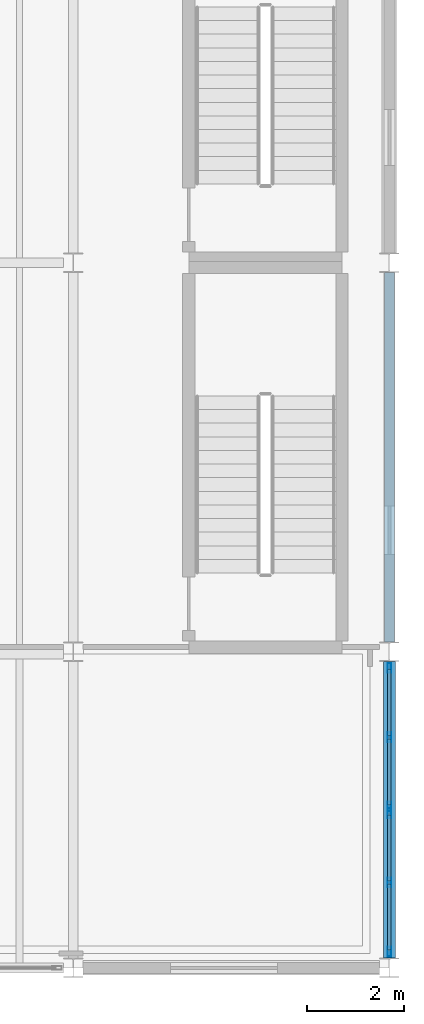
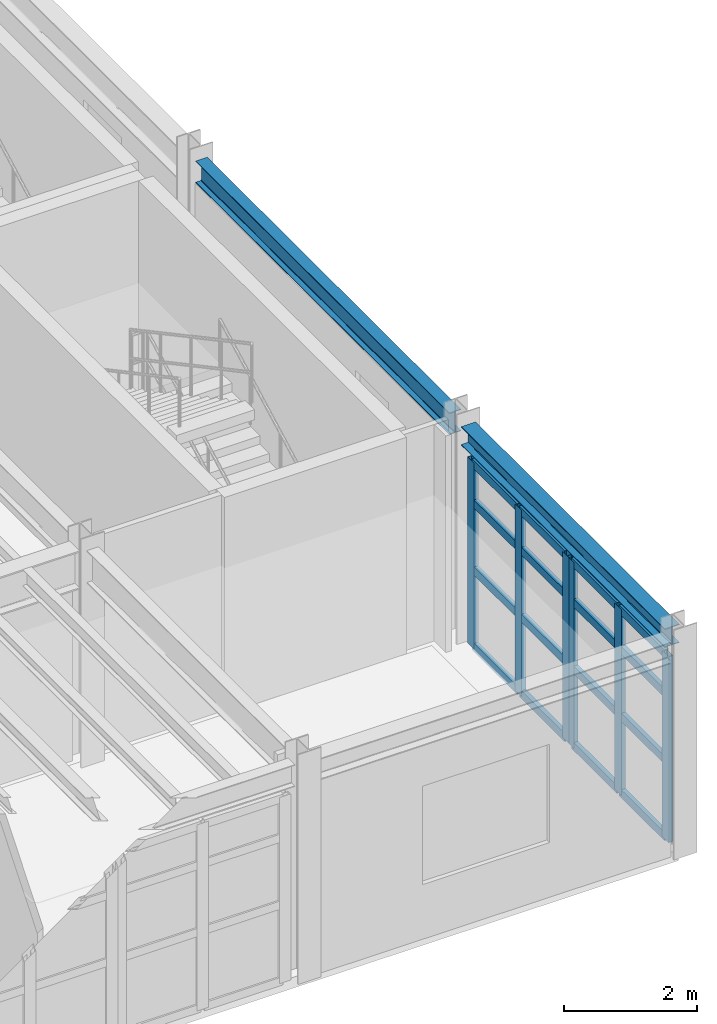
# One storey, part 39 of 78: 22 members, 2 beams, 2 elements without a shape of their own.
"""IFC4 building model written with IfcOpenShell, lengths in metres."""

from ifc_helpers import new_model, si_unit, direction, frame, origin, origin_2d, place, context, subcontext, project, spatial, hollow_rectangle, i_section, extrude, material, material_profile, profile_set, type_object, element, aggregate, save


model = new_model("IFC4")

# Units and contexts
model_context = context("Model", 3, precision=1e-05, world=origin(), true_north=direction((0.0, 1.0)))
body_context = subcontext(model_context, "Body", "Model", "MODEL_VIEW")
ifc_project = project(units=[si_unit("LENGTHUNIT", "METRE"), si_unit("AREAUNIT", "SQUARE_METRE"), si_unit("VOLUMEUNIT", "CUBIC_METRE"), si_unit("PLANEANGLEUNIT", "RADIAN"), si_unit("MASSUNIT", "GRAM", prefix="KILO"), si_unit("THERMODYNAMICTEMPERATUREUNIT", "KELVIN"), si_unit("POWERUNIT", "WATT")], contexts=[model_context])

# Site, building, storey
site_placement = place(None, origin())
site = spatial("IfcSite", under=ifc_project, at=site_placement, CompositionType="ELEMENT")
building_placement = place(site_placement, origin())
building = spatial("IfcBuilding", under=site, at=building_placement, Name="Zhenchuan Central Fire Station", CompositionType="ELEMENT")
storey_placement = place(building_placement, frame((0.0, 0.0, 5.85009765625)))
storey = spatial("IfcBuildingStorey", under=building, at=storey_placement, Name="L02", CompositionType="ELEMENT", Elevation=5.85009765625)

# Beam
ifc_material_1 = material(Name="Steel Q355B", Category="steel")
ifc_material_profile_1 = material_profile(ifc_material_1, i_section(OverallWidth=0.25, OverallDepth=0.340087890625, WebThickness=0.009033203125, FlangeThickness=0.013916015625, FilletRadius=0.01806640625, at=origin_2d()), Name="HM 340x250")
ifc_profile_set_1 = profile_set([ifc_material_profile_1], Name="Steel Q355B")
beam_type_1 = type_object("IfcBeamType", Name="BM-HM340-EXT", PredefinedType="BEAM", material=ifc_profile_set_1)
beam_1_placement = place(storey_placement, frame((161.0, 0.199951171875, 3.789794921875), z_axis=(0.0, 1.0, 0.0), x_axis=(-1.0, 0.0, 0.0)))
element("IfcBeam", 1, at=beam_1_placement, inside=storey, type_object=beam_type_1, Name="L03 Girder NS 0339", PredefinedType="BEAM", context=body_context, shape_type="SweptSolid", body=[
    extrude(i_section(OverallWidth=0.25, OverallDepth=0.340087890625, WebThickness=0.009033203125, FlangeThickness=0.013916015625, FilletRadius=0.01806640625, at=origin_2d()), origin(), (0.0, 0.0, 1.0), 6.10009765625),
])

# Curtain wall, members
ifc_material_2 = material(Name="Anodised aluminium and low-E glazing", Category="aluminium")
curtain_wall_type_1 = type_object("IfcCurtainWallType", Name="CW-MOD-02", PredefinedType="USERDEFINED", material=ifc_material_2)
curtain_wall_1_placement = place(storey_placement, origin())
curtain_wall_1 = element("IfcCurtainWall", 2, at=curtain_wall_1_placement, inside=storey, type_object=curtain_wall_type_1, Name="L02 Unitised Curtain Wall 088", ObjectType="UNITISED GLAZING", PredefinedType="USERDEFINED")
ifc_material_3 = material(Name="Anodised aluminium EN AW-6063", Category="aluminium")
ifc_material_profile_2 = material_profile(ifc_material_3, hollow_rectangle(XDim=0.074951171875, YDim=0.199951171875, WallThickness=0.0048828125, at=origin_2d()), Name="ALU-M 200x75")
ifc_profile_set_2 = profile_set([ifc_material_profile_2], Name="Anodised aluminium EN AW-6063")
member_type_1 = type_object("IfcMemberType", Name="CW-MUL160", PredefinedType="MULLION", material=ifc_profile_set_2)
member_1_placement = place(storey_placement, frame((161.0, 0.33251953125, -0.004150390625), z_axis=(0.0, 0.0, 1.0), x_axis=(-1.0, 0.0, 0.0)))
member_1 = element("IfcMember", 3, at=member_1_placement, type_object=member_type_1, Name="CW-02 mullion 1", PredefinedType="MULLION", context=body_context, shape_type="SweptSolid", body=[
    extrude(hollow_rectangle(XDim=0.074951171875, YDim=0.199951171875, WallThickness=0.0048828125, at=origin_2d()), origin(), (0.0, 0.0, 1.0), 3.404052734375),
])
member_2_placement = place(storey_placement, frame((161.0, 1.756103515625, -0.004150390625), z_axis=(0.0, 0.0, 1.0), x_axis=(-1.0, 0.0, 0.0)))
member_2 = element("IfcMember", 4, at=member_2_placement, type_object=member_type_1, Name="CW-02 mullion 2", PredefinedType="MULLION", context=body_context, shape_type="SweptSolid", body=[
    extrude(hollow_rectangle(XDim=0.074951171875, YDim=0.199951171875, WallThickness=0.0048828125, at=origin_2d()), origin(), (0.0, 0.0, 1.0), 3.404052734375),
])
member_3_placement = place(storey_placement, frame((161.0, 3.179443359375, -0.004150390625), z_axis=(0.0, 0.0, 1.0), x_axis=(-1.0, 0.0, 0.0)))
member_3 = element("IfcMember", 5, at=member_3_placement, type_object=member_type_1, Name="CW-02 mullion 3", PredefinedType="MULLION", context=body_context, shape_type="SweptSolid", body=[
    extrude(hollow_rectangle(XDim=0.074951171875, YDim=0.199951171875, WallThickness=0.0048828125, at=origin_2d()), origin(), (0.0, 0.0, 1.0), 3.404052734375),
])

curtain_wall_type_2 = type_object("IfcCurtainWallType", Name="CW-MOD-03", PredefinedType="USERDEFINED", material=ifc_material_2)
curtain_wall_2_placement = place(storey_placement, origin())
curtain_wall_2 = element("IfcCurtainWall", 6, at=curtain_wall_2_placement, inside=storey, type_object=curtain_wall_type_2, Name="L02 Unitised Curtain Wall 089", ObjectType="UNITISED GLAZING", PredefinedType="USERDEFINED")
member_4_placement = place(storey_placement, frame((161.0, 3.320556640625, -0.004150390625), z_axis=(0.0, 0.0, 1.0), x_axis=(-1.0, 0.0, 0.0)))
member_4 = element("IfcMember", 7, at=member_4_placement, type_object=member_type_1, Name="CW-03 mullion 1", PredefinedType="MULLION", context=body_context, shape_type="SweptSolid", body=[
    extrude(hollow_rectangle(XDim=0.074951171875, YDim=0.199951171875, WallThickness=0.0048828125, at=origin_2d()), origin(), (0.0, 0.0, 1.0), 3.404052734375),
])
member_5_placement = place(storey_placement, frame((161.0, 4.743896484375, -0.004150390625), z_axis=(0.0, 0.0, 1.0), x_axis=(-1.0, 0.0, 0.0)))
member_5 = element("IfcMember", 8, at=member_5_placement, type_object=member_type_1, Name="CW-03 mullion 2", PredefinedType="MULLION", context=body_context, shape_type="SweptSolid", body=[
    extrude(hollow_rectangle(XDim=0.074951171875, YDim=0.199951171875, WallThickness=0.0048828125, at=origin_2d()), origin(), (0.0, 0.0, 1.0), 3.404052734375),
])
member_6_placement = place(storey_placement, frame((161.0, 6.16748046875, -0.004150390625), z_axis=(0.0, 0.0, 1.0), x_axis=(-1.0, 0.0, 0.0)))
member_6 = element("IfcMember", 9, at=member_6_placement, type_object=member_type_1, Name="CW-03 mullion 3", PredefinedType="MULLION", context=body_context, shape_type="SweptSolid", body=[
    extrude(hollow_rectangle(XDim=0.074951171875, YDim=0.199951171875, WallThickness=0.0048828125, at=origin_2d()), origin(), (0.0, 0.0, 1.0), 3.404052734375),
])

# Member
ifc_material_profile_3 = material_profile(ifc_material_3, hollow_rectangle(XDim=0.074951171875, YDim=0.14990234375, WallThickness=0.0048828125, at=origin_2d()), Name="ALU-T 150x75")
ifc_profile_set_3 = profile_set([ifc_material_profile_3], Name="Anodised aluminium EN AW-6063")
member_type_2 = type_object("IfcMemberType", Name="CW-TRN130", PredefinedType="NOTDEFINED", material=ifc_profile_set_3)
member_7_placement = place(storey_placement, frame((161.0, 0.364990234375, 0.0283203125), z_axis=(0.0, 1.0, 0.0), x_axis=(-1.0, 0.0, 0.0)))
member_7 = element("IfcMember", 10, at=member_7_placement, type_object=member_type_2, Name="CW-02 transom 1.1", ObjectType="TRANSOM", PredefinedType="USERDEFINED", context=body_context, shape_type="SweptSolid", body=[
    extrude(hollow_rectangle(XDim=0.074951171875, YDim=0.14990234375, WallThickness=0.0048828125, at=origin_2d()), origin(), (0.0, 0.0, 1.0), 1.3583984375),
])

member_8_placement = place(storey_placement, frame((161.0, 0.364990234375, 1.427978515625), z_axis=(0.0, 1.0, 0.0), x_axis=(-1.0, 0.0, 0.0)))
member_8 = element("IfcMember", 11, at=member_8_placement, type_object=member_type_2, Name="CW-02 transom 1.2", ObjectType="TRANSOM", PredefinedType="USERDEFINED", context=body_context, shape_type="SweptSolid", body=[
    extrude(hollow_rectangle(XDim=0.074951171875, YDim=0.14990234375, WallThickness=0.0048828125, at=origin_2d()), origin(), (0.0, 0.0, 1.0), 1.3583984375),
])

member_9_placement = place(storey_placement, frame((161.0, 0.364990234375, 2.65185546875), z_axis=(0.0, 1.0, 0.0), x_axis=(-1.0, 0.0, 0.0)))
member_9 = element("IfcMember", 12, at=member_9_placement, type_object=member_type_2, Name="CW-02 transom 1.3", ObjectType="TRANSOM", PredefinedType="USERDEFINED", context=body_context, shape_type="SweptSolid", body=[
    extrude(hollow_rectangle(XDim=0.074951171875, YDim=0.14990234375, WallThickness=0.0048828125, at=origin_2d()), origin(), (0.0, 0.0, 1.0), 1.3583984375),
])

member_10_placement = place(storey_placement, frame((161.0, 0.364990234375, 3.367431640625), z_axis=(0.0, 1.0, 0.0), x_axis=(-1.0, 0.0, 0.0)))
member_10 = element("IfcMember", 13, at=member_10_placement, type_object=member_type_2, Name="CW-02 transom 1.4", ObjectType="TRANSOM", PredefinedType="USERDEFINED", context=body_context, shape_type="SweptSolid", body=[
    extrude(hollow_rectangle(XDim=0.074951171875, YDim=0.14990234375, WallThickness=0.0048828125, at=origin_2d()), origin(), (0.0, 0.0, 1.0), 1.3583984375),
])

member_11_placement = place(storey_placement, frame((161.0, 1.78857421875, 0.0283203125), z_axis=(0.0, 1.0, 0.0), x_axis=(-1.0, 0.0, 0.0)))
member_11 = element("IfcMember", 14, at=member_11_placement, type_object=member_type_2, Name="CW-02 transom 2.1", ObjectType="TRANSOM", PredefinedType="USERDEFINED", context=body_context, shape_type="SweptSolid", body=[
    extrude(hollow_rectangle(XDim=0.074951171875, YDim=0.14990234375, WallThickness=0.0048828125, at=origin_2d()), origin(), (0.0, 0.0, 1.0), 1.3583984375),
])

member_12_placement = place(storey_placement, frame((161.0, 1.78857421875, 1.427978515625), z_axis=(0.0, 1.0, 0.0), x_axis=(-1.0, 0.0, 0.0)))
member_12 = element("IfcMember", 15, at=member_12_placement, type_object=member_type_2, Name="CW-02 transom 2.2", ObjectType="TRANSOM", PredefinedType="USERDEFINED", context=body_context, shape_type="SweptSolid", body=[
    extrude(hollow_rectangle(XDim=0.074951171875, YDim=0.14990234375, WallThickness=0.0048828125, at=origin_2d()), origin(), (0.0, 0.0, 1.0), 1.3583984375),
])

member_13_placement = place(storey_placement, frame((161.0, 1.78857421875, 2.65185546875), z_axis=(0.0, 1.0, 0.0), x_axis=(-1.0, 0.0, 0.0)))
member_13 = element("IfcMember", 16, at=member_13_placement, type_object=member_type_2, Name="CW-02 transom 2.3", ObjectType="TRANSOM", PredefinedType="USERDEFINED", context=body_context, shape_type="SweptSolid", body=[
    extrude(hollow_rectangle(XDim=0.074951171875, YDim=0.14990234375, WallThickness=0.0048828125, at=origin_2d()), origin(), (0.0, 0.0, 1.0), 1.3583984375),
])

member_14_placement = place(storey_placement, frame((161.0, 1.78857421875, 3.367431640625), z_axis=(0.0, 1.0, 0.0), x_axis=(-1.0, 0.0, 0.0)))
member_14 = element("IfcMember", 17, at=member_14_placement, type_object=member_type_2, Name="CW-02 transom 2.4", ObjectType="TRANSOM", PredefinedType="USERDEFINED", context=body_context, shape_type="SweptSolid", body=[
    extrude(hollow_rectangle(XDim=0.074951171875, YDim=0.14990234375, WallThickness=0.0048828125, at=origin_2d()), origin(), (0.0, 0.0, 1.0), 1.3583984375),
])

aggregate(curtain_wall_1, [member_1, member_2, member_3, member_7, member_8, member_9, member_10, member_11, member_12, member_13, member_14])

member_15_placement = place(storey_placement, frame((161.0, 3.35302734375, 0.0283203125), z_axis=(0.0, 1.0, 0.0), x_axis=(-1.0, 0.0, 0.0)))
member_15 = element("IfcMember", 18, at=member_15_placement, type_object=member_type_2, Name="CW-03 transom 1.1", ObjectType="TRANSOM", PredefinedType="USERDEFINED", context=body_context, shape_type="SweptSolid", body=[
    extrude(hollow_rectangle(XDim=0.074951171875, YDim=0.14990234375, WallThickness=0.0048828125, at=origin_2d()), origin(), (0.0, 0.0, 1.0), 1.3583984375),
])

member_16_placement = place(storey_placement, frame((161.0, 3.35302734375, 1.427978515625), z_axis=(0.0, 1.0, 0.0), x_axis=(-1.0, 0.0, 0.0)))
member_16 = element("IfcMember", 19, at=member_16_placement, type_object=member_type_2, Name="CW-03 transom 1.2", ObjectType="TRANSOM", PredefinedType="USERDEFINED", context=body_context, shape_type="SweptSolid", body=[
    extrude(hollow_rectangle(XDim=0.074951171875, YDim=0.14990234375, WallThickness=0.0048828125, at=origin_2d()), origin(), (0.0, 0.0, 1.0), 1.3583984375),
])

member_17_placement = place(storey_placement, frame((161.0, 3.35302734375, 2.65185546875), z_axis=(0.0, 1.0, 0.0), x_axis=(-1.0, 0.0, 0.0)))
member_17 = element("IfcMember", 20, at=member_17_placement, type_object=member_type_2, Name="CW-03 transom 1.3", ObjectType="TRANSOM", PredefinedType="USERDEFINED", context=body_context, shape_type="SweptSolid", body=[
    extrude(hollow_rectangle(XDim=0.074951171875, YDim=0.14990234375, WallThickness=0.0048828125, at=origin_2d()), origin(), (0.0, 0.0, 1.0), 1.3583984375),
])

member_18_placement = place(storey_placement, frame((161.0, 3.35302734375, 3.367431640625), z_axis=(0.0, 1.0, 0.0), x_axis=(-1.0, 0.0, 0.0)))
member_18 = element("IfcMember", 21, at=member_18_placement, type_object=member_type_2, Name="CW-03 transom 1.4", ObjectType="TRANSOM", PredefinedType="USERDEFINED", context=body_context, shape_type="SweptSolid", body=[
    extrude(hollow_rectangle(XDim=0.074951171875, YDim=0.14990234375, WallThickness=0.0048828125, at=origin_2d()), origin(), (0.0, 0.0, 1.0), 1.3583984375),
])

member_19_placement = place(storey_placement, frame((161.0, 4.776611328125, 0.0283203125), z_axis=(0.0, 1.0, 0.0), x_axis=(-1.0, 0.0, 0.0)))
member_19 = element("IfcMember", 22, at=member_19_placement, type_object=member_type_2, Name="CW-03 transom 2.1", ObjectType="TRANSOM", PredefinedType="USERDEFINED", context=body_context, shape_type="SweptSolid", body=[
    extrude(hollow_rectangle(XDim=0.074951171875, YDim=0.14990234375, WallThickness=0.0048828125, at=origin_2d()), origin(), (0.0, 0.0, 1.0), 1.3583984375),
])

member_20_placement = place(storey_placement, frame((161.0, 4.776611328125, 1.427978515625), z_axis=(0.0, 1.0, 0.0), x_axis=(-1.0, 0.0, 0.0)))
member_20 = element("IfcMember", 23, at=member_20_placement, type_object=member_type_2, Name="CW-03 transom 2.2", ObjectType="TRANSOM", PredefinedType="USERDEFINED", context=body_context, shape_type="SweptSolid", body=[
    extrude(hollow_rectangle(XDim=0.074951171875, YDim=0.14990234375, WallThickness=0.0048828125, at=origin_2d()), origin(), (0.0, 0.0, 1.0), 1.3583984375),
])

member_21_placement = place(storey_placement, frame((161.0, 4.776611328125, 2.65185546875), z_axis=(0.0, 1.0, 0.0), x_axis=(-1.0, 0.0, 0.0)))
member_21 = element("IfcMember", 24, at=member_21_placement, type_object=member_type_2, Name="CW-03 transom 2.3", ObjectType="TRANSOM", PredefinedType="USERDEFINED", context=body_context, shape_type="SweptSolid", body=[
    extrude(hollow_rectangle(XDim=0.074951171875, YDim=0.14990234375, WallThickness=0.0048828125, at=origin_2d()), origin(), (0.0, 0.0, 1.0), 1.3583984375),
])

member_22_placement = place(storey_placement, frame((161.0, 4.776611328125, 3.367431640625), z_axis=(0.0, 1.0, 0.0), x_axis=(-1.0, 0.0, 0.0)))
member_22 = element("IfcMember", 25, at=member_22_placement, type_object=member_type_2, Name="CW-03 transom 2.4", ObjectType="TRANSOM", PredefinedType="USERDEFINED", context=body_context, shape_type="SweptSolid", body=[
    extrude(hollow_rectangle(XDim=0.074951171875, YDim=0.14990234375, WallThickness=0.0048828125, at=origin_2d()), origin(), (0.0, 0.0, 1.0), 1.3583984375),
])

aggregate(curtain_wall_2, [member_4, member_5, member_6, member_15, member_16, member_17, member_18, member_19, member_20, member_21, member_22])

# Beam
ifc_material_profile_4 = material_profile(ifc_material_1, i_section(OverallWidth=0.199951171875, OverallDepth=0.39990234375, WebThickness=0.008056640625, FlangeThickness=0.012939453125, FilletRadius=0.01611328125, at=origin_2d()), Name="HN 400x200")
ifc_profile_set_4 = profile_set([ifc_material_profile_4], Name="Steel Q355B")
beam_type_2 = type_object("IfcBeamType", Name="SP-HN400", PredefinedType="SPANDREL", material=ifc_profile_set_4)
beam_2_placement = place(storey_placement, frame((161.0, 6.699951171875, 3.760009765625), z_axis=(0.0, 1.0, 0.0), x_axis=(-1.0, 0.0, 0.0)))
element("IfcBeam", 26, at=beam_2_placement, inside=storey, type_object=beam_type_2, Name="L03 Girder NS 0340", PredefinedType="SPANDREL", context=body_context, shape_type="SweptSolid", body=[
    extrude(i_section(OverallWidth=0.199951171875, OverallDepth=0.39990234375, WebThickness=0.008056640625, FlangeThickness=0.012939453125, FilletRadius=0.01611328125, at=origin_2d()), origin(), (0.0, 0.0, 1.0), 7.60009765625),
])

save(model, "model.ifc")
